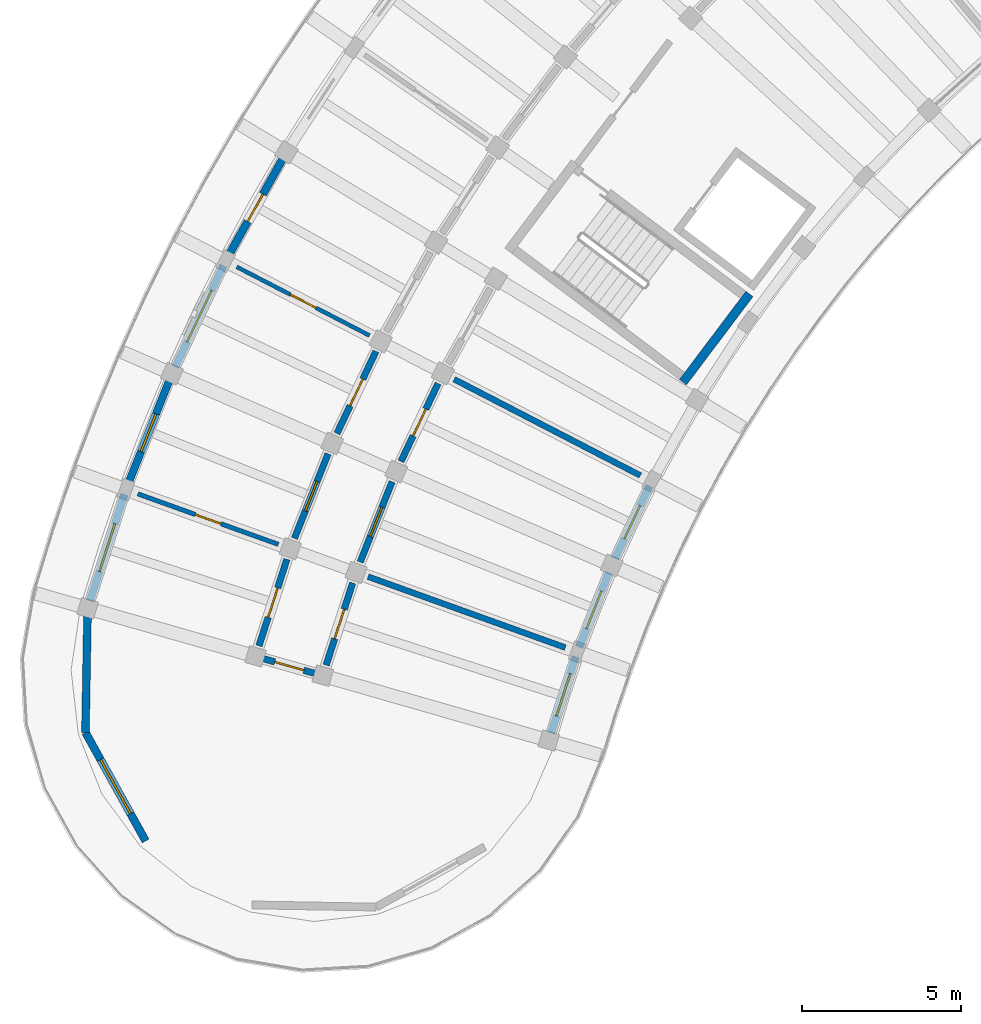
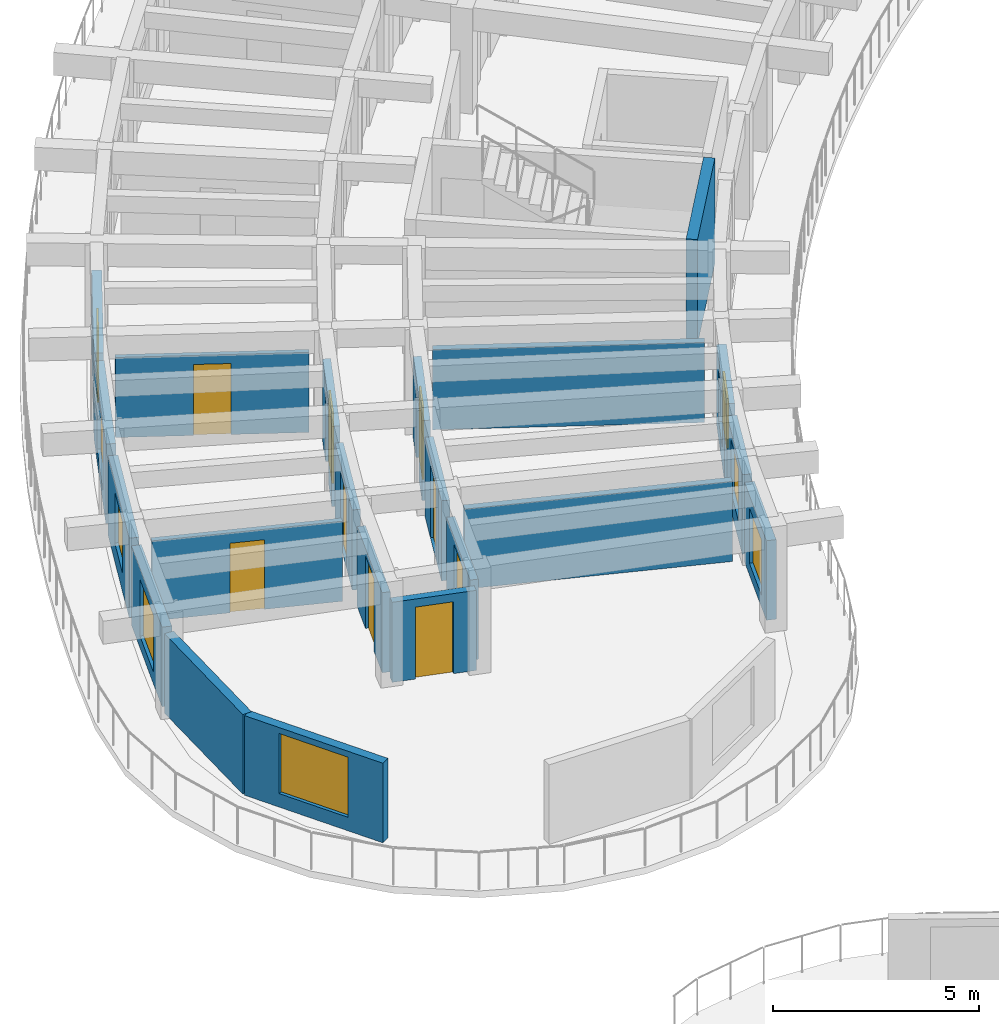
# One storey, part 33 of 69: 21 walls, 10 doors, 7 windows, 17 openings.
"""IFC4 building model written with IfcOpenShell, lengths in metres."""

from ifc_helpers import new_model, si_unit, direction, frame, frame_2d, origin, place, context, subcontext, project, spatial, rectangle, extrude, material, layer, layer_set, type_object, element, fill, save


model = new_model("IFC4")

# Units and contexts
model_context = context("Model", 3, precision=1e-05, world=origin(), true_north=direction((0.0, 1.0)))
body_context = subcontext(model_context, "Body", "Model", "MODEL_VIEW")
ifc_project = project(units=[si_unit("LENGTHUNIT", "METRE"), si_unit("AREAUNIT", "SQUARE_METRE"), si_unit("VOLUMEUNIT", "CUBIC_METRE"), si_unit("PLANEANGLEUNIT", "RADIAN"), si_unit("MASSUNIT", "GRAM", prefix="KILO")], contexts=[model_context])

# Site, building, storey
site_placement = place(None, origin())
site = spatial("IfcSite", under=ifc_project, at=site_placement, CompositionType="ELEMENT")
building_placement = place(site_placement, origin())
building = spatial("IfcBuilding", under=site, at=building_placement, Name="Tanwirah Colonnade Gardens", CompositionType="ELEMENT")
storey_placement = place(building_placement, frame((0.0, 0.0, 15.56005859375)))
storey = spatial("IfcBuildingStorey", under=building, at=storey_placement, Name="L04", CompositionType="ELEMENT", Elevation=15.56005859375)

# Wall, opening, door
ifc_material_1 = material(Name="Limestone architectural precast concrete C40/50", Category="masonry")
ifc_layer_1 = layer(ifc_material_1, 0.2451171875)
ifc_layer_set_1 = layer_set([ifc_layer_1], Name="Limestone architectural precast concrete C40/50")
wall_type_1 = type_object("IfcWallType", Name="EW-PC245", PredefinedType="SOLIDWALL", material=ifc_layer_set_1)
wall_1_placement = place(storey_placement, frame((13.895751953125, 90.755615234375, 0.0), z_axis=(0.0, 0.0, 1.0), x_axis=(-0.488254917997, -0.872701057093, 0.0)))
wall_1 = element("IfcWall", 1, at=wall_1_placement, inside=storey, type_object=wall_type_1, Name="Block A L04 OUT Precast Facade Wall 14", PredefinedType="SOLIDWALL", context=body_context, shape_type="SweptSolid", body=[
    extrude(rectangle(XDim=3.520751953125, YDim=0.2451171875, at=frame_2d((1.76025390625, 0.0))), origin(), (0.0, 0.0, 1.0), 2.35498046875),
])
opening_1_placement = place(wall_1_placement, frame((1.2705078125, 0.0, 0.0)))
opening_1 = element("IfcOpeningElement", 2, at=opening_1_placement, cuts=wall_1, Name="Opening L04-ED021", PredefinedType="OPENING", context=body_context, shape_type="SweptSolid", body=[
    extrude(rectangle(XDim=0.97998046875, YDim=2.1201171875, at=frame_2d((0.489990234375, 1.06005859375))), frame((0.0, 0.132568359375, 0.0), z_axis=(0.0, -1.0, 0.0), x_axis=(1.0, 0.0, 0.0)), (0.0, 0.0, 1.0), 0.26513671875),
])
ifc_material_2 = material(Name="Bronze aluminium glazed balcony door", Category="aluminium")
door_type_1 = type_object("IfcDoorType", Name="ED-BAL098", OperationType="NOTDEFINED", PredefinedType="DOOR", material=ifc_material_2)
door_1_placement = place(opening_1_placement, origin())
door_1 = element("IfcDoor", 3, at=door_1_placement, inside=storey, type_object=door_type_1, Name="Balcony glazed door L04-ED021", OperationType="SINGLE_SWING_LEFT", OverallHeight=2.1201171875, OverallWidth=0.97998046875, PredefinedType="DOOR", context=body_context, shape_type="SweptSolid", body=[
    extrude(rectangle(XDim=0.97998046875, YDim=2.1201171875, at=frame_2d((0.489990234375, 1.06005859375))), frame((0.0, 0.02490234375, 0.0), z_axis=(0.0, -1.0, 0.0), x_axis=(1.0, 0.0, 0.0)), (0.0, 0.0, 1.0), 0.050048828125),
])
fill(opening_1, door_1)

# Wall, opening, window
wall_2_placement = place(storey_placement, frame((12.030029296875, 87.39892578125, 0.0), z_axis=(0.0, 0.0, 1.0), x_axis=(-0.429653621352, -0.902993779413, 0.0)))
wall_2 = element("IfcWall", 4, at=wall_2_placement, inside=storey, type_object=wall_type_1, Name="Block A L04 OUT Precast Facade Wall 15", PredefinedType="SOLIDWALL", context=body_context, shape_type="SweptSolid", body=[
    extrude(rectangle(XDim=3.520751953125, YDim=0.2451171875, at=frame_2d((1.76025390625, 0.0))), origin(), (0.0, 0.0, 1.0), 2.35498046875),
])
opening_2_placement = place(wall_2_placement, frame((0.8603515625, 0.0, 0.35009765625)))
opening_2 = element("IfcOpeningElement", 5, at=opening_2_placement, cuts=wall_2, Name="Opening WIN-T14", PredefinedType="OPENING", context=body_context, shape_type="SweptSolid", body=[
    extrude(rectangle(XDim=1.800048828125, YDim=1.85009765625, at=frame_2d((0.89990234375, 0.925048828125))), frame((0.0, 0.132568359375, 0.0), z_axis=(0.0, -1.0, 0.0), x_axis=(1.0, 0.0, 0.0)), (0.0, 0.0, 1.0), 0.26513671875),
])
ifc_material_3 = material(Name="Thermally broken bronze aluminium and solar low-E double glazing", Category="aluminium")
window_type_1 = type_object("IfcWindowType", Name="WIN-T14", PartitioningType="TRIPLE_PANEL_VERTICAL", PredefinedType="WINDOW", material=ifc_material_3)
window_1_placement = place(opening_2_placement, origin())
window_1 = element("IfcWindow", 6, at=window_1_placement, inside=storey, type_object=window_type_1, Name="Facade window A-L04-OUT-15", OverallHeight=1.85009765625, OverallWidth=1.800048828125, PartitioningType="SINGLE_PANEL", PredefinedType="WINDOW", context=body_context, shape_type="SweptSolid", body=[
    extrude(rectangle(XDim=1.800048828125, YDim=1.85009765625, at=frame_2d((0.89990234375, 0.925048828125))), frame((0.0, 0.030029296875, 0.0), z_axis=(0.0, -1.0, 0.0), x_axis=(1.0, 0.0, 0.0)), (0.0, 0.0, 1.0), 0.06005859375),
])
fill(opening_2, window_1)

wall_3_placement = place(storey_placement, frame((25.444091796875, 80.465576171875, 0.0), z_axis=(0.0, 0.0, 1.0), x_axis=(-0.429610836066, -0.903014135844, 0.0)))
wall_3 = element("IfcWall", 7, at=wall_3_placement, inside=storey, type_object=wall_type_1, Name="Block A L04 IN Precast Facade Wall 15", PredefinedType="SOLIDWALL", context=body_context, shape_type="SweptSolid", body=[
    extrude(rectangle(XDim=2.525390625, YDim=0.2451171875, at=frame_2d((1.2626953125, 0.0))), origin(), (0.0, 0.0, 1.0), 2.35498046875),
])
opening_3_placement = place(wall_3_placement, frame((0.6826171875, 0.0, 0.550048828125)))
opening_3 = element("IfcOpeningElement", 8, at=opening_3_placement, cuts=wall_3, Name="Opening WIN-U01", PredefinedType="OPENING", context=body_context, shape_type="SweptSolid", body=[
    extrude(rectangle(XDim=1.159912109375, YDim=1.485107421875, at=frame_2d((0.580078125, 0.74267578125))), frame((0.0, 0.132568359375, 0.0), z_axis=(0.0, -1.0, 0.0), x_axis=(1.0, 0.0, 0.0)), (0.0, 0.0, 1.0), 0.26513671875),
])
window_type_2 = type_object("IfcWindowType", Name="WIN-U01", PartitioningType="DOUBLE_PANEL_VERTICAL", PredefinedType="WINDOW", material=ifc_material_3)
window_2_placement = place(opening_3_placement, origin())
window_2 = element("IfcWindow", 9, at=window_2_placement, inside=storey, type_object=window_type_2, Name="Facade window A-L04-IN-15", OverallHeight=1.485107421875, OverallWidth=1.159912109375, PartitioningType="SINGLE_PANEL", PredefinedType="WINDOW", context=body_context, shape_type="SweptSolid", body=[
    extrude(rectangle(XDim=1.159912109375, YDim=1.485107421875, at=frame_2d((0.580078125, 0.74267578125))), frame((0.0, 0.030029296875, 0.0), z_axis=(0.0, -1.0, 0.0), x_axis=(1.0, 0.0, 0.0)), (0.0, 0.0, 1.0), 0.06005859375),
])
fill(opening_3, window_2)

wall_4_placement = place(storey_placement, frame((10.32177734375, 83.770751953125, 0.0), z_axis=(0.0, 0.0, 1.0), x_axis=(-0.369249632056, -0.929330247666, 0.0)))
wall_4 = element("IfcWall", 10, at=wall_4_placement, inside=storey, type_object=wall_type_1, Name="Block A L04 OUT Precast Facade Wall 16", PredefinedType="SOLIDWALL", context=body_context, shape_type="SweptSolid", body=[
    extrude(rectangle(XDim=3.520751953125, YDim=0.2451171875, at=frame_2d((1.76025390625, 0.0))), origin(), (0.0, 0.0, 1.0), 2.35498046875),
])
opening_4_placement = place(wall_4_placement, frame((1.120361328125, 0.0, 0.550048828125)))
opening_4 = element("IfcOpeningElement", 11, at=opening_4_placement, cuts=wall_4, Name="Opening WIN-T17", PredefinedType="OPENING", context=body_context, shape_type="SweptSolid", body=[
    extrude(rectangle(XDim=1.280029296875, YDim=1.52001953125, at=frame_2d((0.64013671875, 0.760009765625))), frame((0.0, 0.132568359375, 0.0), z_axis=(0.0, -1.0, 0.0), x_axis=(1.0, 0.0, 0.0)), (0.0, 0.0, 1.0), 0.26513671875),
])
window_type_3 = type_object("IfcWindowType", Name="WIN-T17", PartitioningType="SINGLE_PANEL", PredefinedType="WINDOW", material=ifc_material_3)
window_3_placement = place(opening_4_placement, origin())
window_3 = element("IfcWindow", 12, at=window_3_placement, inside=storey, type_object=window_type_3, Name="Facade window A-L04-OUT-16", OverallHeight=1.52001953125, OverallWidth=1.280029296875, PartitioningType="SINGLE_PANEL", PredefinedType="WINDOW", context=body_context, shape_type="SweptSolid", body=[
    extrude(rectangle(XDim=1.280029296875, YDim=1.52001953125, at=frame_2d((0.64013671875, 0.760009765625))), frame((0.0, 0.030029296875, 0.0), z_axis=(0.0, -1.0, 0.0), x_axis=(1.0, 0.0, 0.0)), (0.0, 0.0, 1.0), 0.06005859375),
])
fill(opening_4, window_3)

wall_5_placement = place(storey_placement, frame((24.163330078125, 77.736328125, 0.0), z_axis=(0.0, 0.0, 1.0), x_axis=(-0.369122600107, -0.92938071106, 0.0)))
wall_5 = element("IfcWall", 13, at=wall_5_placement, inside=storey, type_object=wall_type_1, Name="Block A L04 IN Precast Facade Wall 16", PredefinedType="SOLIDWALL", context=body_context, shape_type="SweptSolid", body=[
    extrude(rectangle(XDim=2.525146484375, YDim=0.2451171875, at=frame_2d((1.2626953125, 0.0))), origin(), (0.0, 0.0, 1.0), 2.35498046875),
])
opening_5_placement = place(wall_5_placement, frame((0.62255859375, 0.0, 0.550048828125)))
opening_5 = element("IfcOpeningElement", 14, at=opening_5_placement, cuts=wall_5, Name="Opening WIN-U04", PredefinedType="OPENING", context=body_context, shape_type="SweptSolid", body=[
    extrude(rectangle(XDim=1.280029296875, YDim=1.56005859375, at=frame_2d((0.64013671875, 0.780029296875))), frame((0.0, 0.132568359375, 0.0), z_axis=(0.0, -1.0, 0.0), x_axis=(1.0, 0.0, 0.0)), (0.0, 0.0, 1.0), 0.26513671875),
])
window_type_4 = type_object("IfcWindowType", Name="WIN-U04", PartitioningType="DOUBLE_PANEL_VERTICAL", PredefinedType="WINDOW", material=ifc_material_3)
window_4_placement = place(opening_5_placement, origin())
window_4 = element("IfcWindow", 15, at=window_4_placement, inside=storey, type_object=window_type_4, Name="Facade window A-L04-IN-16", OverallHeight=1.56005859375, OverallWidth=1.280029296875, PartitioningType="SINGLE_PANEL", PredefinedType="WINDOW", context=body_context, shape_type="SweptSolid", body=[
    extrude(rectangle(XDim=1.280029296875, YDim=1.56005859375, at=frame_2d((0.64013671875, 0.780029296875))), frame((0.0, 0.030029296875, 0.0), z_axis=(0.0, -1.0, 0.0), x_axis=(1.0, 0.0, 0.0)), (0.0, 0.0, 1.0), 0.06005859375),
])
fill(opening_5, window_4)

wall_6_placement = place(storey_placement, frame((8.91357421875, 80.19775390625, 0.0), z_axis=(0.0, 0.0, 1.0), x_axis=(-0.30720538788, -0.951643236543, 0.0)))
wall_6 = element("IfcWall", 16, at=wall_6_placement, inside=storey, type_object=wall_type_1, Name="Block A L04 OUT Precast Facade Wall 17", PredefinedType="SOLIDWALL", context=body_context, shape_type="SweptSolid", body=[
    extrude(rectangle(XDim=3.5205078125, YDim=0.2451171875, at=frame_2d((1.76025390625, 0.0))), origin(), (0.0, 0.0, 1.0), 2.35498046875),
])
opening_6_placement = place(wall_6_placement, frame((0.97021484375, 0.0, 0.35009765625)))
opening_6 = element("IfcOpeningElement", 17, at=opening_6_placement, cuts=wall_6, Name="Opening WIN-T20", PredefinedType="OPENING", context=body_context, shape_type="SweptSolid", body=[
    extrude(rectangle(XDim=1.580078125, YDim=1.679931640625, at=frame_2d((0.7900390625, 0.83984375))), frame((0.0, 0.132568359375, 0.0), z_axis=(0.0, -1.0, 0.0), x_axis=(1.0, 0.0, 0.0)), (0.0, 0.0, 1.0), 0.26513671875),
])
window_type_5 = type_object("IfcWindowType", Name="WIN-T20", PartitioningType="DOUBLE_PANEL_VERTICAL", PredefinedType="WINDOW", material=ifc_material_3)
window_5_placement = place(opening_6_placement, origin())
window_5 = element("IfcWindow", 18, at=window_5_placement, inside=storey, type_object=window_type_5, Name="Facade window A-L04-OUT-17", OverallHeight=1.679931640625, OverallWidth=1.580078125, PartitioningType="SINGLE_PANEL", PredefinedType="WINDOW", context=body_context, shape_type="SweptSolid", body=[
    extrude(rectangle(XDim=1.580078125, YDim=1.679931640625, at=frame_2d((0.7900390625, 0.83984375))), frame((0.0, 0.030029296875, 0.0), z_axis=(0.0, -1.0, 0.0), x_axis=(1.0, 0.0, 0.0)), (0.0, 0.0, 1.0), 0.06005859375),
])
fill(opening_6, window_5)

wall_7_placement = place(storey_placement, frame((23.122802734375, 75.08837890625, 0.0), z_axis=(0.0, 0.0, 1.0), x_axis=(-0.30716379336, -0.951656662903, 0.0)))
wall_7 = element("IfcWall", 19, at=wall_7_placement, inside=storey, type_object=wall_type_1, Name="Block A L04 IN Precast Facade Wall 17", PredefinedType="SOLIDWALL", context=body_context, shape_type="SweptSolid", body=[
    extrude(rectangle(XDim=2.525146484375, YDim=0.2451171875, at=frame_2d((1.2626953125, 0.0))), origin(), (0.0, 0.0, 1.0), 2.35498046875),
])
opening_7_placement = place(wall_7_placement, frame((0.5625, 0.0, 0.35009765625)))
opening_7 = element("IfcOpeningElement", 20, at=opening_7_placement, cuts=wall_7, Name="Opening WIN-U07", PredefinedType="OPENING", context=body_context, shape_type="SweptSolid", body=[
    extrude(rectangle(XDim=1.39990234375, YDim=1.635009765625, at=frame_2d((0.699951171875, 0.8173828125))), frame((0.0, 0.132568359375, 0.0), z_axis=(0.0, -1.0, 0.0), x_axis=(1.0, 0.0, 0.0)), (0.0, 0.0, 1.0), 0.26513671875),
])
window_type_6 = type_object("IfcWindowType", Name="WIN-U07", PartitioningType="DOUBLE_PANEL_VERTICAL", PredefinedType="WINDOW", material=ifc_material_3)
window_6_placement = place(opening_7_placement, origin())
window_6 = element("IfcWindow", 21, at=window_6_placement, inside=storey, type_object=window_type_6, Name="Facade window A-L04-IN-17", OverallHeight=1.635009765625, OverallWidth=1.39990234375, PartitioningType="SINGLE_PANEL", PredefinedType="WINDOW", context=body_context, shape_type="SweptSolid", body=[
    extrude(rectangle(XDim=1.39990234375, YDim=1.635009765625, at=frame_2d((0.699951171875, 0.8173828125))), frame((0.0, 0.030029296875, 0.0), z_axis=(0.0, -1.0, 0.0), x_axis=(1.0, 0.0, 0.0)), (0.0, 0.0, 1.0), 0.06005859375),
])
fill(opening_7, window_6)

wall_8_placement = place(storey_placement, frame((9.58349609375, 69.28857421875, 0.0), z_axis=(0.0, 0.0, 1.0), x_axis=(-0.484841794757, 0.874601871743, 0.0)))
wall_8 = element("IfcWall", 22, at=wall_8_placement, inside=storey, type_object=wall_type_1, Name="Block A L04 END Rounded End Wall 4", PredefinedType="SOLIDWALL", context=body_context, shape_type="SweptSolid", body=[
    extrude(rectangle(XDim=3.907958984375, YDim=0.2451171875, at=frame_2d((1.9541015625, 0.0))), origin(), (0.0, 0.0, 1.0), 2.35498046875),
])
opening_8_placement = place(wall_8_placement, frame((0.97900390625, 0.0, 0.39990234375)))
opening_8 = element("IfcOpeningElement", 23, at=opening_8_placement, cuts=wall_8, Name="Opening WIN-END2", PredefinedType="OPENING", context=body_context, shape_type="SweptSolid", body=[
    extrude(rectangle(XDim=1.949951171875, YDim=1.780029296875, at=frame_2d((0.97509765625, 0.89013671875))), frame((0.0, 0.132568359375, 0.0), z_axis=(0.0, -1.0, 0.0), x_axis=(1.0, 0.0, 0.0)), (0.0, 0.0, 1.0), 0.26513671875),
])
window_type_7 = type_object("IfcWindowType", Name="WIN-END2", PartitioningType="TRIPLE_PANEL_VERTICAL", PredefinedType="WINDOW", material=ifc_material_3)
window_7_placement = place(opening_8_placement, origin())
window_7 = element("IfcWindow", 24, at=window_7_placement, inside=storey, type_object=window_type_7, Name="Rounded corner window A-L04-END-4", OverallHeight=1.780029296875, OverallWidth=1.949951171875, PartitioningType="SINGLE_PANEL", PredefinedType="WINDOW", context=body_context, shape_type="SweptSolid", body=[
    extrude(rectangle(XDim=1.949951171875, YDim=1.780029296875, at=frame_2d((0.97509765625, 0.89013671875))), frame((0.0, 0.030029296875, 0.0), z_axis=(0.0, -1.0, 0.0), x_axis=(1.0, 0.0, 0.0)), (0.0, 0.0, 1.0), 0.06005859375),
])
fill(opening_8, window_7)

# Wall
wall_9_placement = place(storey_placement, frame((7.688720703125, 72.70654296875, 0.0), z_axis=(0.0, 0.0, 1.0), x_axis=(0.017428315893, 0.999848115368, 0.0)))
element("IfcWall", 25, at=wall_9_placement, inside=storey, type_object=wall_type_1, Name="Block A L04 END Rounded End Wall 5", PredefinedType="SOLIDWALL", context=body_context, shape_type="SweptSolid", body=[
    extrude(rectangle(XDim=3.908203125, YDim=0.2451171875, at=frame_2d((1.9541015625, 0.0))), origin(), (0.0, 0.0, 1.0), 2.35498046875),
])

# Wall, opening, door
ifc_material_4 = material(Name="Precast concrete C40/50", Category="concrete")
ifc_layer_2 = layer(ifc_material_4, 0.205078125)
ifc_layer_set_2 = layer_set([ifc_layer_2], Name="Precast concrete C40/50")
wall_type_2 = type_object("IfcWallType", Name="IW-CORR205", PredefinedType="PARTITIONING", material=ifc_layer_set_2)
wall_10_placement = place(storey_placement, frame((16.834228515625, 84.701904296875, 0.0), z_axis=(0.0, 0.0, 1.0), x_axis=(-0.429595933416, -0.90302122566, 0.0)))
wall_10 = element("IfcWall", 26, at=wall_10_placement, inside=storey, type_object=wall_type_2, Name="Block A L04 OUT Corridor Wall 15", PredefinedType="PARTITIONING", context=body_context, shape_type="SweptSolid", body=[
    extrude(rectangle(XDim=2.863037109375, YDim=0.205078125, at=frame_2d((1.431640625, 0.0))), origin(), (0.0, 0.0, 1.0), 2.369873046875),
])
opening_9_placement = place(wall_10_placement, frame((0.966552734375, 0.0, 0.0)))
opening_9 = element("IfcOpeningElement", 27, at=opening_9_placement, cuts=wall_10, Name="Opening L04-AD422", PredefinedType="OPENING", context=body_context, shape_type="SweptSolid", body=[
    extrude(rectangle(XDim=0.929931640625, YDim=2.1201171875, at=frame_2d((0.46484375, 1.06005859375))), frame((0.0, 0.112548828125, 0.0), z_axis=(0.0, -1.0, 0.0), x_axis=(1.0, 0.0, 0.0)), (0.0, 0.0, 1.0), 0.22509765625),
])
ifc_material_5 = material(Name="Solid oak fire-resisting apartment entrance door")
door_type_2 = type_object("IfcDoorType", Name="ID-FLT093", OperationType="NOTDEFINED", PredefinedType="DOOR", material=ifc_material_5)
door_2_placement = place(opening_9_placement, origin())
door_2 = element("IfcDoor", 28, at=door_2_placement, inside=storey, type_object=door_type_2, Name="Apartment corridor door L04-AD422", OperationType="SINGLE_SWING_RIGHT", OverallHeight=2.1201171875, OverallWidth=0.929931640625, PredefinedType="DOOR", context=body_context, shape_type="SweptSolid", body=[
    extrude(rectangle(XDim=0.929931640625, YDim=2.1201171875, at=frame_2d((0.46484375, 1.06005859375))), frame((0.0, 0.02490234375, 0.0), z_axis=(0.0, -1.0, 0.0), x_axis=(1.0, 0.0, 0.0)), (0.0, 0.0, 1.0), 0.050048828125),
])
fill(opening_9, door_2)

wall_11_placement = place(storey_placement, frame((18.78857421875, 83.691650390625, 0.0), z_axis=(0.0, 0.0, 1.0), x_axis=(-0.429630211913, -0.90300491749, 0.0)))
wall_11 = element("IfcWall", 29, at=wall_11_placement, inside=storey, type_object=wall_type_2, Name="Block A L04 IN Corridor Wall 15", PredefinedType="PARTITIONING", context=body_context, shape_type="SweptSolid", body=[
    extrude(rectangle(XDim=2.718017578125, YDim=0.205078125, at=frame_2d((1.35888671875, 0.0))), origin(), (0.0, 0.0, 1.0), 2.369873046875),
])
opening_10_placement = place(wall_11_placement, frame((0.89404296875, 0.0, 0.0)))
opening_10 = element("IfcOpeningElement", 30, at=opening_10_placement, cuts=wall_11, Name="Opening L04-AD423", PredefinedType="OPENING", context=body_context, shape_type="SweptSolid", body=[
    extrude(rectangle(XDim=0.929931640625, YDim=2.1201171875, at=frame_2d((0.46484375, 1.06005859375))), frame((0.0, 0.112548828125, 0.0), z_axis=(0.0, -1.0, 0.0), x_axis=(1.0, 0.0, 0.0)), (0.0, 0.0, 1.0), 0.22509765625),
])
door_3_placement = place(opening_10_placement, origin())
door_3 = element("IfcDoor", 31, at=door_3_placement, inside=storey, type_object=door_type_2, Name="Apartment corridor door L04-AD423", OperationType="SINGLE_SWING_LEFT", OverallHeight=2.1201171875, OverallWidth=0.929931640625, PredefinedType="DOOR", context=body_context, shape_type="SweptSolid", body=[
    extrude(rectangle(XDim=0.929931640625, YDim=2.1201171875, at=frame_2d((0.46484375, 1.06005859375))), frame((0.0, 0.02490234375, 0.0), z_axis=(0.0, -1.0, 0.0), x_axis=(1.0, 0.0, 0.0)), (0.0, 0.0, 1.0), 0.050048828125),
])
fill(opening_10, door_3)

wall_12_placement = place(storey_placement, frame((15.32470703125, 81.47509765625, 0.0), z_axis=(0.0, 0.0, 1.0), x_axis=(-0.369213832442, -0.929344471083, 0.0)))
wall_12 = element("IfcWall", 32, at=wall_12_placement, inside=storey, type_object=wall_type_2, Name="Block A L04 OUT Corridor Wall 16", PredefinedType="PARTITIONING", context=body_context, shape_type="SweptSolid", body=[
    extrude(rectangle(XDim=2.86328125, YDim=0.205078125, at=frame_2d((1.431640625, 0.0))), origin(), (0.0, 0.0, 1.0), 2.369873046875),
])
opening_11_placement = place(wall_12_placement, frame((0.9365234375, 0.0, 0.0)))
opening_11 = element("IfcOpeningElement", 33, at=opening_11_placement, cuts=wall_12, Name="Opening L04-AD424", PredefinedType="OPENING", context=body_context, shape_type="SweptSolid", body=[
    extrude(rectangle(XDim=0.989990234375, YDim=2.159912109375, at=frame_2d((0.4951171875, 1.080078125))), frame((0.0, 0.112548828125, 0.0), z_axis=(0.0, -1.0, 0.0), x_axis=(1.0, 0.0, 0.0)), (0.0, 0.0, 1.0), 0.22509765625),
])
door_type_3 = type_object("IfcDoorType", Name="ID-FLT099", OperationType="NOTDEFINED", PredefinedType="DOOR", material=ifc_material_5)
door_4_placement = place(opening_11_placement, origin())
door_4 = element("IfcDoor", 34, at=door_4_placement, inside=storey, type_object=door_type_3, Name="Apartment corridor door L04-AD424", OperationType="SINGLE_SWING_LEFT", OverallHeight=2.159912109375, OverallWidth=0.989990234375, PredefinedType="DOOR", context=body_context, shape_type="SweptSolid", body=[
    extrude(rectangle(XDim=0.989990234375, YDim=2.159912109375, at=frame_2d((0.4951171875, 1.080078125))), frame((0.0, 0.02490234375, 0.0), z_axis=(0.0, -1.0, 0.0), x_axis=(1.0, 0.0, 0.0)), (0.0, 0.0, 1.0), 0.050048828125),
])
fill(opening_11, door_4)

wall_13_placement = place(storey_placement, frame((17.34130859375, 80.595947265625, 0.0), z_axis=(0.0, 0.0, 1.0), x_axis=(-0.369237170461, -0.929335198919, 0.0)))
wall_13 = element("IfcWall", 35, at=wall_13_placement, inside=storey, type_object=wall_type_2, Name="Block A L04 IN Corridor Wall 16", PredefinedType="PARTITIONING", context=body_context, shape_type="SweptSolid", body=[
    extrude(rectangle(XDim=2.71826171875, YDim=0.205078125, at=frame_2d((1.359130859375, 0.0))), origin(), (0.0, 0.0, 1.0), 2.369873046875),
])
opening_12_placement = place(wall_13_placement, frame((0.864013671875, 0.0, 0.0)))
opening_12 = element("IfcOpeningElement", 36, at=opening_12_placement, cuts=wall_13, Name="Opening L04-AD425", PredefinedType="OPENING", context=body_context, shape_type="SweptSolid", body=[
    extrude(rectangle(XDim=0.989990234375, YDim=2.159912109375, at=frame_2d((0.4951171875, 1.080078125))), frame((0.0, 0.112548828125, 0.0), z_axis=(0.0, -1.0, 0.0), x_axis=(1.0, 0.0, 0.0)), (0.0, 0.0, 1.0), 0.22509765625),
])
door_5_placement = place(opening_12_placement, origin())
door_5 = element("IfcDoor", 37, at=door_5_placement, inside=storey, type_object=door_type_3, Name="Apartment corridor door L04-AD425", OperationType="SINGLE_SWING_RIGHT", OverallHeight=2.159912109375, OverallWidth=0.989990234375, PredefinedType="DOOR", context=body_context, shape_type="SweptSolid", body=[
    extrude(rectangle(XDim=0.989990234375, YDim=2.159912109375, at=frame_2d((0.4951171875, 1.080078125))), frame((0.0, 0.02490234375, 0.0), z_axis=(0.0, -1.0, 0.0), x_axis=(1.0, 0.0, 0.0)), (0.0, 0.0, 1.0), 0.050048828125),
])
fill(opening_12, door_5)

wall_14_placement = place(storey_placement, frame((14.03076171875, 78.156005859375, 0.0), z_axis=(0.0, 0.0, 1.0), x_axis=(-0.307132325305, -0.951666819193, 0.0)))
wall_14 = element("IfcWall", 38, at=wall_14_placement, inside=storey, type_object=wall_type_2, Name="Block A L04 OUT Corridor Wall 17", PredefinedType="PARTITIONING", context=body_context, shape_type="SweptSolid", body=[
    extrude(rectangle(XDim=2.86328125, YDim=0.205078125, at=frame_2d((1.431640625, 0.0))), origin(), (0.0, 0.0, 1.0), 2.369873046875),
])
opening_13_placement = place(wall_14_placement, frame((0.946533203125, 0.0, 0.0)))
opening_13 = element("IfcOpeningElement", 39, at=opening_13_placement, cuts=wall_14, Name="Opening L04-AD427", PredefinedType="OPENING", context=body_context, shape_type="SweptSolid", body=[
    extrude(rectangle(XDim=0.969970703125, YDim=2.14990234375, at=frame_2d((0.48486328125, 1.074951171875))), frame((0.0, 0.112548828125, 0.0), z_axis=(0.0, -1.0, 0.0), x_axis=(1.0, 0.0, 0.0)), (0.0, 0.0, 1.0), 0.22509765625),
])
door_type_4 = type_object("IfcDoorType", Name="ID-FLT097", OperationType="NOTDEFINED", PredefinedType="DOOR", material=ifc_material_5)
door_6_placement = place(opening_13_placement, origin())
door_6 = element("IfcDoor", 40, at=door_6_placement, inside=storey, type_object=door_type_4, Name="Apartment corridor door L04-AD427", OperationType="SINGLE_SWING_RIGHT", OverallHeight=2.14990234375, OverallWidth=0.969970703125, PredefinedType="DOOR", context=body_context, shape_type="SweptSolid", body=[
    extrude(rectangle(XDim=0.969970703125, YDim=2.14990234375, at=frame_2d((0.48486328125, 1.074951171875))), frame((0.0, 0.02490234375, 0.0), z_axis=(0.0, -1.0, 0.0), x_axis=(1.0, 0.0, 0.0)), (0.0, 0.0, 1.0), 0.050048828125),
])
fill(opening_13, door_6)

wall_15_placement = place(storey_placement, frame((16.10107421875, 77.41162109375, 0.0), z_axis=(0.0, 0.0, 1.0), x_axis=(-0.307186478934, -0.95164934044, 0.0)))
wall_15 = element("IfcWall", 41, at=wall_15_placement, inside=storey, type_object=wall_type_2, Name="Block A L04 IN Corridor Wall 17", PredefinedType="PARTITIONING", context=body_context, shape_type="SweptSolid", body=[
    extrude(rectangle(XDim=2.718017578125, YDim=0.205078125, at=frame_2d((1.35888671875, 0.0))), origin(), (0.0, 0.0, 1.0), 2.369873046875),
])
opening_14_placement = place(wall_15_placement, frame((0.8740234375, 0.0, 0.0)))
opening_14 = element("IfcOpeningElement", 42, at=opening_14_placement, cuts=wall_15, Name="Opening L04-AD428", PredefinedType="OPENING", context=body_context, shape_type="SweptSolid", body=[
    extrude(rectangle(XDim=0.969970703125, YDim=2.14990234375, at=frame_2d((0.48486328125, 1.074951171875))), frame((0.0, 0.112548828125, 0.0), z_axis=(0.0, -1.0, 0.0), x_axis=(1.0, 0.0, 0.0)), (0.0, 0.0, 1.0), 0.22509765625),
])
door_7_placement = place(opening_14_placement, origin())
door_7 = element("IfcDoor", 43, at=door_7_placement, inside=storey, type_object=door_type_4, Name="Apartment corridor door L04-AD428", OperationType="SINGLE_SWING_LEFT", OverallHeight=2.14990234375, OverallWidth=0.969970703125, PredefinedType="DOOR", context=body_context, shape_type="SweptSolid", body=[
    extrude(rectangle(XDim=0.969970703125, YDim=2.14990234375, at=frame_2d((0.48486328125, 1.074951171875))), frame((0.0, 0.02490234375, 0.0), z_axis=(0.0, -1.0, 0.0), x_axis=(1.0, 0.0, 0.0)), (0.0, 0.0, 1.0), 0.050048828125),
])
fill(opening_14, door_7)

wall_16_placement = place(storey_placement, frame((15.110595703125, 74.505615234375, 0.0), z_axis=(0.0, 0.0, 1.0), x_axis=(-0.961264701934, 0.275626872449, 0.0)))
wall_16 = element("IfcWall", 44, at=wall_16_placement, inside=storey, type_object=wall_type_2, Name="Block A L04 CE Corner Suite Corridor Wall", PredefinedType="PARTITIONING", context=body_context, shape_type="SweptSolid", body=[
    extrude(rectangle(XDim=2.10009765625, YDim=0.205078125, at=frame_2d((1.050048828125, 0.0))), origin(), (0.0, 0.0, 1.0), 2.369873046875),
])
opening_15_placement = place(wall_16_placement, frame((0.570068359375, 0.0, 0.0)))
opening_15 = element("IfcOpeningElement", 45, at=opening_15_placement, cuts=wall_16, Name="Opening L04-CD430", PredefinedType="OPENING", context=body_context, shape_type="SweptSolid", body=[
    extrude(rectangle(XDim=0.949951171875, YDim=2.1298828125, at=frame_2d((0.47509765625, 1.06494140625))), frame((0.0, 0.112548828125, 0.0), z_axis=(0.0, -1.0, 0.0), x_axis=(1.0, 0.0, 0.0)), (0.0, 0.0, 1.0), 0.22509765625),
])
door_type_5 = type_object("IfcDoorType", Name="ID-FLT095", OperationType="NOTDEFINED", PredefinedType="DOOR", material=ifc_material_5)
door_8_placement = place(opening_15_placement, origin())
door_8 = element("IfcDoor", 46, at=door_8_placement, inside=storey, type_object=door_type_5, Name="Corner suite entrance door L04-CD430", OperationType="SINGLE_SWING_RIGHT", OverallHeight=2.1298828125, OverallWidth=0.949951171875, PredefinedType="DOOR", context=body_context, shape_type="SweptSolid", body=[
    extrude(rectangle(XDim=0.949951171875, YDim=2.1298828125, at=frame_2d((0.47509765625, 1.06494140625))), frame((0.0, 0.02490234375, 0.0), z_axis=(0.0, -1.0, 0.0), x_axis=(1.0, 0.0, 0.0)), (0.0, 0.0, 1.0), 0.050048828125),
])
fill(opening_15, door_8)

# Walls
ifc_layer_3 = layer(ifc_material_4, 0.18505859375)
ifc_layer_set_3 = layer_set([ifc_layer_3], Name="Precast concrete C40/50")
wall_type_3 = type_object("IfcWallType", Name="IW-DEM185", PredefinedType="PARTITIONING", material=ifc_layer_set_3)
wall_17_placement = place(storey_placement, frame((25.157470703125, 80.793701171875, 0.0), z_axis=(0.0, 0.0, 1.0), x_axis=(-0.888346696024, 0.459173330741, 0.0)))
element("IfcWall", 47, at=wall_17_placement, inside=storey, type_object=wall_type_3, Name="Block A L04 Inner Radial Partition 14", PredefinedType="PARTITIONING", context=body_context, shape_type="SweptSolid", body=[
    extrude(rectangle(XDim=6.599853515625, YDim=0.18505859375, at=frame_2d((3.2998046875, 0.0))), origin(), (0.0, 0.0, 1.0), 2.369873046875),
])
wall_18_placement = place(storey_placement, frame((22.795654296875, 75.3759765625, 0.0), z_axis=(0.0, 0.0, 1.0), x_axis=(-0.941005714099, 0.338390670725, 0.0)))
element("IfcWall", 48, at=wall_18_placement, inside=storey, type_object=wall_type_3, Name="Block A L04 Inner Radial Partition 16", PredefinedType="PARTITIONING", context=body_context, shape_type="SweptSolid", body=[
    extrude(rectangle(XDim=6.60009765625, YDim=0.18505859375, at=frame_2d((3.300048828125, 0.0))), origin(), (0.0, 0.0, 1.0), 2.369873046875),
])

# Wall, opening, door
ifc_material_6 = material(Name="Moisture-resistant gypsum stud partition")
ifc_layer_4 = layer(ifc_material_6, 0.125)
ifc_layer_set_4 = layer_set([ifc_layer_4], Name="Moisture-resistant gypsum stud partition")
wall_type_4 = type_object("IfcWallType", Name="IW-INT125", PredefinedType="PARTITIONING", material=ifc_layer_set_4)
wall_19_placement = place(storey_placement, frame((16.62939453125, 85.20166015625, 0.0), z_axis=(0.0, 0.0, 1.0), x_axis=(-0.88836305433, 0.459141681512, 0.0)))
wall_19 = element("IfcWall", 49, at=wall_19_placement, inside=storey, type_object=wall_type_4, Name="Block A L04 Radial Partition 14", PredefinedType="PARTITIONING", context=body_context, shape_type="SweptSolid", body=[
    extrude(rectangle(XDim=4.699951171875, YDim=0.125, at=frame_2d((2.35009765625, 0.0))), origin(), (0.0, 0.0, 1.0), 2.369873046875),
])
opening_16_placement = place(wall_19_placement, frame((1.89501953125, 0.0, 0.0)))
opening_16 = element("IfcOpeningElement", 50, at=opening_16_placement, cuts=wall_19, Name="Opening L04-RD421", PredefinedType="OPENING", context=body_context, shape_type="SweptSolid", body=[
    extrude(rectangle(XDim=0.909912109375, YDim=2.10009765625, at=frame_2d((0.455078125, 1.050048828125))), frame((0.0, 0.072509765625, 0.0), z_axis=(0.0, -1.0, 0.0), x_axis=(1.0, 0.0, 0.0)), (0.0, 0.0, 1.0), 0.14501953125),
])
ifc_material_7 = material(Name="Painted hardwood internal room door", Category="wood")
door_type_6 = type_object("IfcDoorType", Name="ID-RM091", OperationType="NOTDEFINED", PredefinedType="DOOR", material=ifc_material_7)
door_9_placement = place(opening_16_placement, origin())
door_9 = element("IfcDoor", 51, at=door_9_placement, inside=storey, type_object=door_type_6, Name="Internal apartment door L04-RD421", OperationType="SINGLE_SWING_LEFT", OverallHeight=2.10009765625, OverallWidth=0.909912109375, PredefinedType="DOOR", context=body_context, shape_type="SweptSolid", body=[
    extrude(rectangle(XDim=0.909912109375, YDim=2.10009765625, at=frame_2d((0.455078125, 1.050048828125))), frame((0.0, 0.02490234375, 0.0), z_axis=(0.0, -1.0, 0.0), x_axis=(1.0, 0.0, 0.0)), (0.0, 0.0, 1.0), 0.050048828125),
])
fill(opening_16, door_9)

ifc_material_8 = material(Name="Water-resistant acoustic plumbing partition")
ifc_layer_5 = layer(ifc_material_8, 0.139892578125)
ifc_layer_set_5 = layer_set([ifc_layer_5], Name="Water-resistant acoustic plumbing partition")
wall_type_5 = type_object("IfcWallType", Name="IW-WET140", PredefinedType="PLUMBINGWALL", material=ifc_layer_set_5)
wall_20_placement = place(storey_placement, frame((13.761962890625, 78.62451171875, 0.0), z_axis=(0.0, 0.0, 1.0), x_axis=(-0.941015806044, 0.338362605463, 0.0)))
wall_20 = element("IfcWall", 52, at=wall_20_placement, inside=storey, type_object=wall_type_5, Name="Block A L04 Radial Partition 16", PredefinedType="PLUMBINGWALL", context=body_context, shape_type="SweptSolid", body=[
    extrude(rectangle(XDim=4.7001953125, YDim=0.139892578125, at=frame_2d((2.35009765625, 0.0))), origin(), (0.0, 0.0, 1.0), 2.369873046875),
])
opening_17_placement = place(wall_20_placement, frame((1.919921875, 0.0, 0.0)))
opening_17 = element("IfcOpeningElement", 53, at=opening_17_placement, cuts=wall_20, Name="Opening L04-RD426", PredefinedType="OPENING", context=body_context, shape_type="SweptSolid", body=[
    extrude(rectangle(XDim=0.860107421875, YDim=2.06005859375, at=frame_2d((0.43017578125, 1.030029296875))), frame((0.0, 0.079833984375, 0.0), z_axis=(0.0, -1.0, 0.0), x_axis=(1.0, 0.0, 0.0)), (0.0, 0.0, 1.0), 0.159912109375),
])
ifc_material_9 = material(Name="Moisture-resistant bathroom door")
door_type_7 = type_object("IfcDoorType", Name="ID-WET086", OperationType="NOTDEFINED", PredefinedType="DOOR", material=ifc_material_9)
door_10_placement = place(opening_17_placement, origin())
door_10 = element("IfcDoor", 54, at=door_10_placement, inside=storey, type_object=door_type_7, Name="Internal apartment door L04-RD426", OperationType="SINGLE_SWING_LEFT", OverallHeight=2.06005859375, OverallWidth=0.860107421875, PredefinedType="DOOR", context=body_context, shape_type="SweptSolid", body=[
    extrude(rectangle(XDim=0.860107421875, YDim=2.06005859375, at=frame_2d((0.43017578125, 1.030029296875))), frame((0.0, 0.02490234375, 0.0), z_axis=(0.0, -1.0, 0.0), x_axis=(1.0, 0.0, 0.0)), (0.0, 0.0, 1.0), 0.050048828125),
])
fill(opening_17, door_10)

# Wall
ifc_material_10 = material(Name="Concrete C45/55", Category="concrete")
ifc_layer_6 = layer(ifc_material_10, 0.280029296875)
ifc_layer_set_6 = layer_set([ifc_layer_6], Name="Concrete C45/55")
wall_type_6 = type_object("IfcWallType", Name="SW-CORE280", PredefinedType="SHEAR", material=ifc_layer_set_6)
wall_21_placement = place(storey_placement, frame((26.497314453125, 83.7294921875, 0.0), z_axis=(0.0, 0.0, 1.0), x_axis=(0.601794470585, 0.798650997102, 0.0)))
element("IfcWall", 55, at=wall_21_placement, inside=storey, type_object=wall_type_6, Name="CORE-A2 L04 Stair Shaft Shear Wall FAR", PredefinedType="SHEAR", context=body_context, shape_type="SweptSolid", body=[
    extrude(rectangle(XDim=3.47998046875, YDim=0.280029296875, at=frame_2d((1.739990234375, 0.0))), origin(), (0.0, 0.0, 1.0), 3.10986328125),
])

save(model, "model.ifc")
